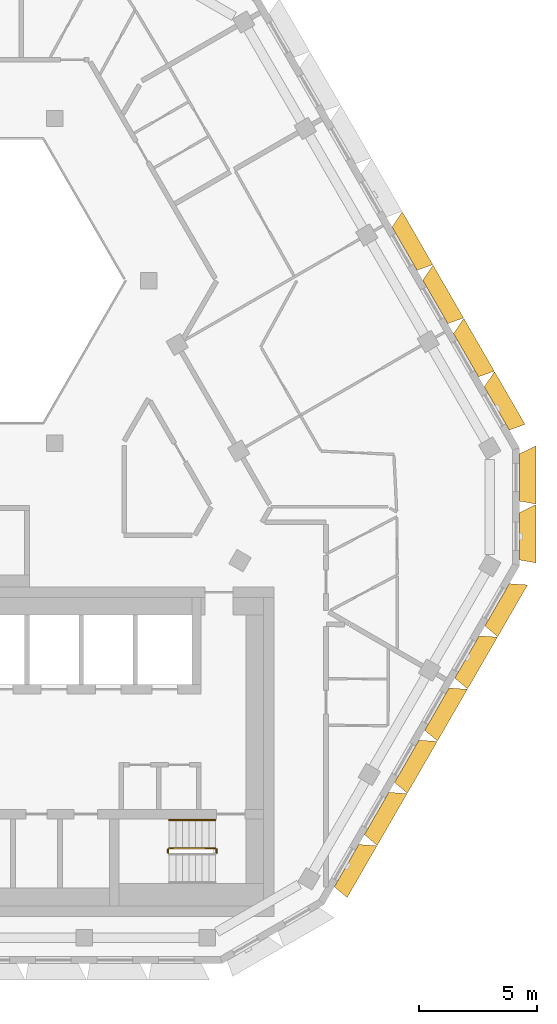
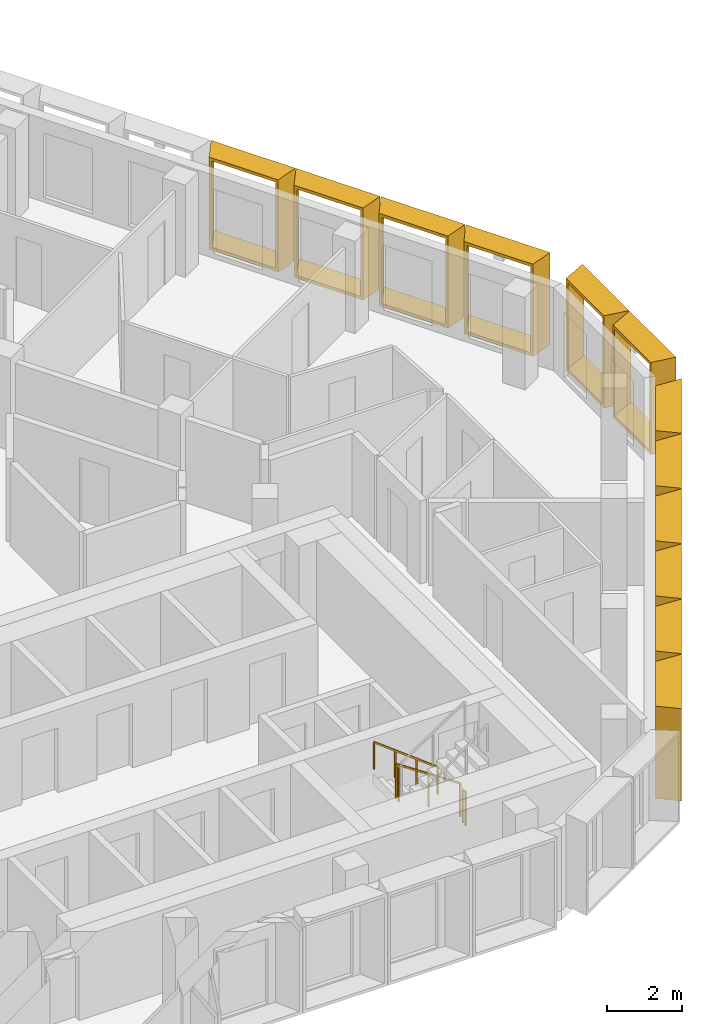
# One storey, part 15 of 16: 12 shading devices, 4 railings.
"""IFC4 building model written with IfcOpenShell, lengths in metres."""

from ifc_helpers import new_model, entity, si_unit, direction, frame, origin, origin_2d, place, context, subcontext, project, spatial, rectangle, extrude, source, transform, mapped, material, type_object, type_shapes, element, save


model = new_model("IFC4")

# Units and contexts
model_context = context("Model", 3, precision=1e-05, world=origin(), true_north=direction((0.0, 1.0)))
body_context = subcontext(model_context, "Body", "Model", "MODEL_VIEW")
ifc_project = project(units=[si_unit("LENGTHUNIT", "METRE"), si_unit("AREAUNIT", "SQUARE_METRE"), si_unit("VOLUMEUNIT", "CUBIC_METRE"), si_unit("PLANEANGLEUNIT", "RADIAN"), si_unit("MASSUNIT", "GRAM", prefix="KILO")], contexts=[model_context])

# Site, building, storey
site_placement = place(None, origin())
site = spatial("IfcSite", under=ifc_project, at=site_placement, CompositionType="ELEMENT")
building_placement = place(site_placement, origin())
building = spatial("IfcBuilding", under=site, at=building_placement, Name="Beryl Residences", CompositionType="ELEMENT")
storey_placement = place(building_placement, frame((0.0, 0.0, 226.800048828125)))
storey = spatial("IfcBuildingStorey", under=building, at=storey_placement, Name="L70", CompositionType="ELEMENT", Elevation=226.800048828125)

# Shading devices
ifc_material_1 = material(Name="Aluminium pale anodised", Category="aluminium")
shading_device_type_1 = type_object("IfcShadingDeviceType", Name="FR250-70C OUTER SKIN frame 700 mm deep, splay 10/26 deg, 2500 x 3000 mm cell", PredefinedType="USERDEFINED", material=ifc_material_1)
cartesian_point_1 = entity("IfcCartesianPoint", [-1.007568359375, 0.0])
cartesian_point_2 = entity("IfcCartesianPoint", [-0.92626953125, 0.10009765625])
cartesian_point_3 = entity("IfcCartesianPoint", [-1.130859375, 0.0])
cartesian_point_4 = entity("IfcCartesianPoint", [-1.0498046875, 0.10009765625])
shared_shape_1 = source(origin(), body_context, "Body", "SweptSolid", [
    entity("IfcExtrudedAreaSolidTapered", entity("IfcArbitraryProfileDefWithVoids", "AREA", None, entity("IfcPolyline", [cartesian_point_1, entity("IfcCartesianPoint", [1.007568359375, 0.0]), entity("IfcCartesianPoint", [1.007568359375, 3.0]), entity("IfcCartesianPoint", [-1.007568359375, 3.0]), cartesian_point_1]), [entity("IfcPolyline", [cartesian_point_2, entity("IfcCartesianPoint", [0.91845703125, 0.10009765625]), entity("IfcCartesianPoint", [0.91845703125, 2.89990234375]), entity("IfcCartesianPoint", [-0.92626953125, 2.89990234375]), cartesian_point_2])]), entity("IfcAxis2Placement3D", entity("IfcCartesianPoint", [0.0, 0.0, 0.0]), entity("IfcDirection", [0.0, 1.0, 0.0]), entity("IfcDirection", [-1.0, 0.0, 0.0])), entity("IfcDirection", [0.0, 0.0, 1.0]), 0.699951171875, entity("IfcArbitraryProfileDefWithVoids", "AREA", None, entity("IfcPolyline", [cartesian_point_3, entity("IfcCartesianPoint", [1.348876953125, 0.0]), entity("IfcCartesianPoint", [1.348876953125, 3.0]), entity("IfcCartesianPoint", [-1.130859375, 3.0]), cartesian_point_3]), [entity("IfcPolyline", [cartesian_point_4, entity("IfcCartesianPoint", [1.260009765625, 0.10009765625]), entity("IfcCartesianPoint", [1.260009765625, 2.89990234375]), entity("IfcCartesianPoint", [-1.0498046875, 2.89990234375]), cartesian_point_4])])),
])
type_shapes(shading_device_type_1, [shared_shape_1])
for number, where, z_axis, x_axis, name in (
    (1, (23.72900390625, -2.85009765625, 0.0), (0.0, 0.0, 1.0), (0.0, -1.0, 0.0), "FR250-70C frame L70 SE-NE 1"),
    (2, (23.72900390625, -0.35009765625, 0.0), (0.0, 0.0, 1.0), (0.0, -1.0, 0.0), "FR250-70C frame L70 SE-NE 2"),
):
    element("IfcShadingDevice", number, at=place(storey_placement, frame(where, z_axis=z_axis, x_axis=x_axis)), inside=storey, type_object=shading_device_type_1, Name=name, ObjectType="OUTER SKIN", PredefinedType="USERDEFINED", context=body_context, shape_type="MappedRepresentation", body=[
        mapped(shared_shape_1, transform((0.0, 0.0, 0.0))),
    ])
ifc_material_2 = material(Name="Aluminium pale anodised", Category="aluminium")
shading_device_type_2 = type_object("IfcShadingDeviceType", Name="FR256-70C OUTER SKIN frame 700 mm deep, splay 10/26 deg, 2560 x 3000 mm cell", PredefinedType="USERDEFINED", material=ifc_material_2)
cartesian_point_5 = entity("IfcCartesianPoint", [-1.03759765625, 0.0])
cartesian_point_6 = entity("IfcCartesianPoint", [-0.956298828125, 0.10009765625])
cartesian_point_7 = entity("IfcCartesianPoint", [-1.160888671875, 0.0])
cartesian_point_8 = entity("IfcCartesianPoint", [-1.07958984375, 0.10009765625])
shared_shape_2 = source(origin(), body_context, "Body", "SweptSolid", [
    entity("IfcExtrudedAreaSolidTapered", entity("IfcArbitraryProfileDefWithVoids", "AREA", None, entity("IfcPolyline", [cartesian_point_5, entity("IfcCartesianPoint", [1.03759765625, 0.0]), entity("IfcCartesianPoint", [1.03759765625, 3.0]), entity("IfcCartesianPoint", [-1.03759765625, 3.0]), cartesian_point_5]), [entity("IfcPolyline", [cartesian_point_6, entity("IfcCartesianPoint", [0.948486328125, 0.10009765625]), entity("IfcCartesianPoint", [0.948486328125, 2.89990234375]), entity("IfcCartesianPoint", [-0.956298828125, 2.89990234375]), cartesian_point_6])]), entity("IfcAxis2Placement3D", entity("IfcCartesianPoint", [0.0, 0.0, 0.0]), entity("IfcDirection", [0.0, 1.0, 0.0]), entity("IfcDirection", [-1.0, 0.0, 0.0])), entity("IfcDirection", [0.0, 0.0, 1.0]), 0.699951171875, entity("IfcArbitraryProfileDefWithVoids", "AREA", None, entity("IfcPolyline", [cartesian_point_7, entity("IfcCartesianPoint", [1.37890625, 0.0]), entity("IfcCartesianPoint", [1.37890625, 3.0]), entity("IfcCartesianPoint", [-1.160888671875, 3.0]), cartesian_point_7]), [entity("IfcPolyline", [cartesian_point_8, entity("IfcCartesianPoint", [1.289794921875, 0.10009765625]), entity("IfcCartesianPoint", [1.289794921875, 2.89990234375]), entity("IfcCartesianPoint", [-1.07958984375, 2.89990234375]), cartesian_point_8])])),
])
type_shapes(shading_device_type_2, [shared_shape_2])
for number, where, z_axis, x_axis, name in (
    (3, (16.373046875, -16.842041015625, 0.0), (0.0, 0.0, 1.0), (-0.5, -0.866025403784, 0.0), "FR256-70C frame L70 SE 1"),
    (4, (17.652099609375, -14.625, 0.0), (0.0, 0.0, 1.0), (-0.5, -0.866025403784, 0.0), "FR256-70C frame L70 SE 2"),
    (5, (18.931884765625, -12.408935546875, 0.0), (0.0, 0.0, 1.0), (-0.5, -0.866025403784, 0.0), "FR256-70C frame L70 SE 3"),
    (6, (20.2119140625, -10.19189453125, 0.0), (0.0, 0.0, 1.0), (-0.5, -0.866025403784, 0.0), "FR256-70C frame L70 SE 4"),
    (7, (21.490966796875, -7.97607421875, 0.0), (0.0, 0.0, 1.0), (-0.5, -0.866025403784, 0.0), "FR256-70C frame L70 SE 5"),
    (8, (22.77099609375, -5.759033203125, 0.0), (0.0, 0.0, 1.0), (-0.5, -0.866025403784, 0.0), "FR256-70C frame L70 SE 6"),
):
    element("IfcShadingDevice", number, at=place(storey_placement, frame(where, z_axis=z_axis, x_axis=x_axis)), inside=storey, type_object=shading_device_type_2, Name=name, ObjectType="OUTER SKIN", PredefinedType="USERDEFINED", context=body_context, shape_type="MappedRepresentation", body=[
        mapped(shared_shape_2, transform((0.0, 0.0, 0.0))),
    ])
ifc_material_3 = material(Name="Aluminium pale anodised", Category="aluminium")
shading_device_type_3 = type_object("IfcShadingDeviceType", Name="FR261-70C OUTER SKIN frame 700 mm deep, splay 10/26 deg, 2610 x 3000 mm cell", PredefinedType="USERDEFINED", material=ifc_material_3)
cartesian_point_9 = entity("IfcCartesianPoint", [-1.0625, 0.0])
cartesian_point_10 = entity("IfcCartesianPoint", [-0.981201171875, 0.10009765625])
cartesian_point_11 = entity("IfcCartesianPoint", [-1.18603515625, 0.0])
cartesian_point_12 = entity("IfcCartesianPoint", [-1.104736328125, 0.10009765625])
shared_shape_3 = source(origin(), body_context, "Body", "SweptSolid", [
    entity("IfcExtrudedAreaSolidTapered", entity("IfcArbitraryProfileDefWithVoids", "AREA", None, entity("IfcPolyline", [cartesian_point_9, entity("IfcCartesianPoint", [1.0625, 0.0]), entity("IfcCartesianPoint", [1.0625, 3.0]), entity("IfcCartesianPoint", [-1.0625, 3.0]), cartesian_point_9]), [entity("IfcPolyline", [cartesian_point_10, entity("IfcCartesianPoint", [0.973388671875, 0.10009765625]), entity("IfcCartesianPoint", [0.973388671875, 2.89990234375]), entity("IfcCartesianPoint", [-0.981201171875, 2.89990234375]), cartesian_point_10])]), entity("IfcAxis2Placement3D", entity("IfcCartesianPoint", [0.0, 0.0, 0.0]), entity("IfcDirection", [0.0, 1.0, 0.0]), entity("IfcDirection", [-1.0, 0.0, 0.0])), entity("IfcDirection", [0.0, 0.0, 1.0]), 0.699951171875, entity("IfcArbitraryProfileDefWithVoids", "AREA", None, entity("IfcPolyline", [cartesian_point_11, entity("IfcCartesianPoint", [1.40380859375, 0.0]), entity("IfcCartesianPoint", [1.40380859375, 3.0]), entity("IfcCartesianPoint", [-1.18603515625, 3.0]), cartesian_point_11]), [entity("IfcPolyline", [cartesian_point_12, entity("IfcCartesianPoint", [1.31494140625, 0.10009765625]), entity("IfcCartesianPoint", [1.31494140625, 2.89990234375]), entity("IfcCartesianPoint", [-1.104736328125, 2.89990234375]), cartesian_point_12])])),
])
type_shapes(shading_device_type_3, [shared_shape_3])
for number, where, z_axis, x_axis, name in (
    (9, (22.758056640625, 2.5810546875, 0.0), (0.0, 0.0, 1.0), (0.5, -0.866025403784, 0.0), "FR261-70C frame L70 NE 1"),
    (10, (21.450927734375, 4.843994140625, 0.0), (0.0, 0.0, 1.0), (0.5, -0.866025403784, 0.0), "FR261-70C frame L70 NE 2"),
    (11, (20.14501953125, 7.10595703125, 0.0), (0.0, 0.0, 1.0), (0.5, -0.866025403784, 0.0), "FR261-70C frame L70 NE 3"),
    (12, (18.839111328125, 9.368896484375, 0.0), (0.0, 0.0, 1.0), (0.5, -0.866025403784, 0.0), "FR261-70C frame L70 NE 4"),
):
    element("IfcShadingDevice", number, at=place(storey_placement, frame(where, z_axis=z_axis, x_axis=x_axis)), inside=storey, type_object=shading_device_type_3, Name=name, ObjectType="OUTER SKIN", PredefinedType="USERDEFINED", context=body_context, shape_type="MappedRepresentation", body=[
        mapped(shared_shape_3, transform((0.0, 0.0, 0.0))),
    ])

# Railings
ifc_material_4 = material(Name="Stainless steel balustrade with glass infill", Category="steel")
railing_type_1 = type_object("IfcRailingType", Name="SG1 stair guard 1100 mm", PredefinedType="GUARDRAIL", material=ifc_material_4)
railing_1_placement = place(storey_placement, frame((10.800048828125, -16.10009765625, 0.1875)))
element("IfcRailing", 13, at=railing_1_placement, inside=storey, type_object=railing_type_1, Name="L70 ST-3 stair guard 1", PredefinedType="GUARDRAIL", context=body_context, shape_type="SweptSolid", body=[
    extrude(rectangle(XDim=0.048095703125, YDim=0.048095703125, at=origin_2d()), frame((0.0, 0.0, 1.076171875), z_axis=(-0.830902050051, 0.0, 0.556418712142), x_axis=(0.0, -1.0, 0.0)), (0.0, 0.0, 1.0), 2.35888671875),
    extrude(rectangle(XDim=0.0419921875, YDim=0.0419921875, at=origin_2d()), origin(), (0.0, 0.0, 1.0), 1.052001953125),
    extrude(rectangle(XDim=0.0419921875, YDim=0.0419921875, at=origin_2d()), frame((-0.97998046875, 0.0, 0.65625)), (0.0, 0.0, 1.0), 1.052001953125),
    extrude(rectangle(XDim=0.0419921875, YDim=0.0419921875, at=origin_2d()), frame((-1.9599609375, 0.0, 1.3125)), (0.0, 0.0, 1.0), 1.052001953125),
])
for number, where, name in (
    (14, (8.7900390625, -16.14990234375, 1.5), "L70 ST-3 stair guard 2"),
    (15, (10.85009765625, -16.14990234375, 0.0), "L70 ST-3 stair guard 4"),
):
    element("IfcRailing", number, at=place(storey_placement, frame(where)), inside=storey, type_object=railing_type_1, Name=name, PredefinedType="GUARDRAIL", context=body_context, shape_type="SweptSolid", body=[
        extrude(rectangle(XDim=0.048095703125, YDim=0.048095703125, at=origin_2d()), frame((0.0, 0.0, 1.076171875), z_axis=(0.0, -1.0, 0.0), x_axis=(1.0, 0.0, 0.0)), (0.0, 0.0, 1.0), 0.150146484375),
        extrude(rectangle(XDim=0.0419921875, YDim=0.0419921875, at=origin_2d()), origin(), (0.0, 0.0, 1.0), 1.052001953125),
        extrude(rectangle(XDim=0.0419921875, YDim=0.0419921875, at=origin_2d()), frame((0.0, -0.150146484375, 0.0)), (0.0, 0.0, 1.0), 1.052001953125),
    ])
ifc_material_5 = material(Name="Stainless steel handrail", Category="steel")
railing_type_2 = type_object("IfcRailingType", Name="SRL1 stair handrail 900 mm", PredefinedType="HANDRAIL", material=ifc_material_5)
railing_2_placement = place(storey_placement, frame((10.800048828125, -14.89990234375, 0.1875)))
element("IfcRailing", 16, at=railing_2_placement, inside=storey, type_object=railing_type_2, Name="L70 ST-3 stair handrail 1", PredefinedType="HANDRAIL", context=body_context, shape_type="SweptSolid", body=[
    extrude(rectangle(XDim=0.048095703125, YDim=0.048095703125, at=origin_2d()), frame((0.0, 0.0, 0.8759765625), z_axis=(-0.794121922505, 0.0, 0.607758481798), x_axis=(0.0, -1.0, 0.0)), (0.0, 0.0, 1.0), 2.468017578125),
    extrude(rectangle(XDim=0.0419921875, YDim=0.0419921875, at=origin_2d()), origin(), (0.0, 0.0, 1.0), 0.851806640625),
    extrude(rectangle(XDim=0.0419921875, YDim=0.0419921875, at=origin_2d()), frame((-0.6533203125, 0.0, 0.5)), (0.0, 0.0, 1.0), 0.851806640625),
    extrude(rectangle(XDim=0.0419921875, YDim=0.0419921875, at=origin_2d()), frame((-1.306640625, 0.0, 1.0)), (0.0, 0.0, 1.0), 0.851806640625),
    extrude(rectangle(XDim=0.0419921875, YDim=0.0419921875, at=origin_2d()), frame((-1.9599609375, 0.0, 1.5)), (0.0, 0.0, 1.0), 0.851806640625),
])

save(model, "model.ifc")
